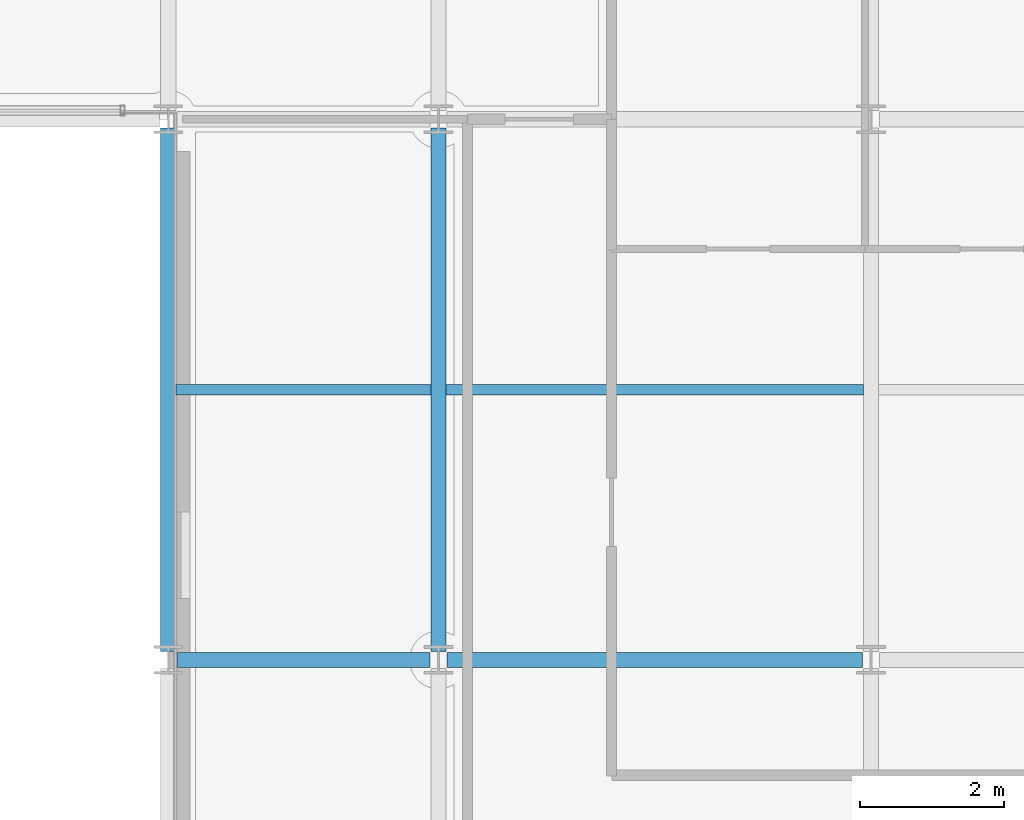
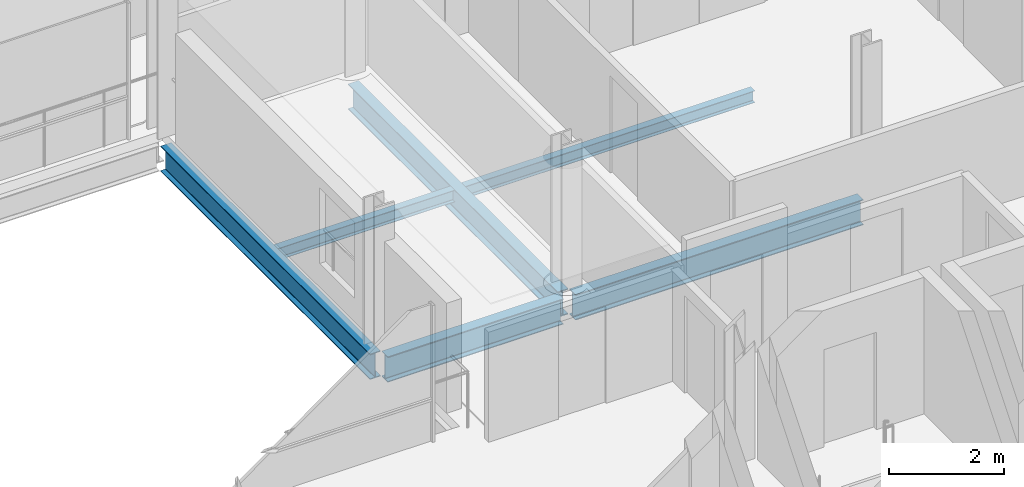
# One storey, part 19 of 35: 6 beams.
"""IFC4 building model written with IfcOpenShell, lengths in metres."""

from ifc_helpers import new_model, si_unit, direction, frame, origin, origin_2d, place, context, subcontext, project, spatial, i_section, extrude, material, material_profile, profile_set, type_object, element, save


model = new_model("IFC4")

# Units and contexts
model_context = context("Model", 3, precision=1e-05, world=origin(), true_north=direction((0.0, 1.0)))
body_context = subcontext(model_context, "Body", "Model", "MODEL_VIEW")
ifc_project = project(units=[si_unit("LENGTHUNIT", "METRE"), si_unit("AREAUNIT", "SQUARE_METRE"), si_unit("VOLUMEUNIT", "CUBIC_METRE"), si_unit("PLANEANGLEUNIT", "RADIAN"), si_unit("MASSUNIT", "GRAM", prefix="KILO")], contexts=[model_context])

# Site, building, storey
site_placement = place(None, origin())
site = spatial("IfcSite", under=ifc_project, at=site_placement, CompositionType="ELEMENT")
building_placement = place(site_placement, origin())
building = spatial("IfcBuilding", under=site, at=building_placement, Name="Brevholm Reach", CompositionType="ELEMENT")
storey_placement = place(building_placement, frame((0.0, 0.0, 183.199951171875)))
storey = spatial("IfcBuildingStorey", under=building, at=storey_placement, Name="L55", CompositionType="ELEMENT", Elevation=183.199951171875)

# Beams
ifc_material_1 = material(Name="Structural Steel S355J2", Category="steel")
ifc_material_profile_1 = material_profile(ifc_material_1, i_section(OverallWidth=0.14599609375, OverallDepth=0.25146484375, WebThickness=0.006103515625, FlangeThickness=0.008544921875, FilletRadius=0.007568359375, at=origin_2d()), Name="UKB 254x146x31")
ifc_profile_set_1 = profile_set([ifc_material_profile_1], Name="Structural Steel S355J2")
beam_type_1 = type_object("IfcBeamType", Name="BM-B254", PredefinedType="BEAM", material=ifc_profile_set_1)
beam_1_placement = place(storey_placement, frame((38.35546875, 19.75, -0.335693359375), z_axis=(1.0, 0.0, 0.0), x_axis=(0.0, 1.0, 0.0)))
element("IfcBeam", 1, at=beam_1_placement, inside=storey, type_object=beam_type_1, Name="L55 Composite Secondary Floor Beam", PredefinedType="BEAM", context=body_context, shape_type="SweptSolid", body=[
    extrude(i_section(OverallWidth=0.14599609375, OverallDepth=0.25146484375, WebThickness=0.006103515625, FlangeThickness=0.008544921875, FilletRadius=0.007568359375, at=origin_2d()), origin(), (0.0, 0.0, 1.0), 3.5390625),
])
beam_2_placement = place(storey_placement, frame((42.10546875, 19.75, -0.335693359375), z_axis=(1.0, 0.0, 0.0), x_axis=(0.0, 1.0, 0.0)))
element("IfcBeam", 2, at=beam_2_placement, inside=storey, type_object=beam_type_1, Name="L55 Composite Secondary Floor Beam", PredefinedType="BEAM", context=body_context, shape_type="SweptSolid", body=[
    extrude(i_section(OverallWidth=0.14599609375, OverallDepth=0.25146484375, WebThickness=0.006103515625, FlangeThickness=0.008544921875, FilletRadius=0.007568359375, at=origin_2d()), origin(), (0.0, 0.0, 1.0), 5.7890625),
])
ifc_material_2 = material(Name="Structural Steel S355J2", Category="steel")
ifc_material_profile_2 = material_profile(ifc_material_2, i_section(OverallWidth=0.210693359375, OverallDepth=0.53955078125, WebThickness=0.01171875, FlangeThickness=0.018798828125, FilletRadius=0.0126953125, at=origin_2d()), Name="UKB 533x210x109")
ifc_profile_set_2 = profile_set([ifc_material_profile_2], Name="Structural Steel S355J2")
beam_type_2 = type_object("IfcBeamType", Name="BM-SP539", PredefinedType="SPANDREL", material=ifc_profile_set_2)
beam_3_placement = place(storey_placement, frame((38.3701171875, 16.0, -0.479736328125), z_axis=(1.0, 0.0, 0.0), x_axis=(0.0, 1.0, 0.0)))
element("IfcBeam", 3, at=beam_3_placement, inside=storey, type_object=beam_type_2, Name="L55 SP-01B Framing Beam", PredefinedType="SPANDREL", context=body_context, shape_type="SweptSolid", body=[
    extrude(i_section(OverallWidth=0.210693359375, OverallDepth=0.53955078125, WebThickness=0.01171875, FlangeThickness=0.018798828125, FilletRadius=0.0126953125, at=origin_2d()), origin(), (0.0, 0.0, 1.0), 3.509765625),
])
beam_4_placement = place(storey_placement, frame((42.1201171875, 16.0, -0.479736328125), z_axis=(1.0, 0.0, 0.0), x_axis=(0.0, 1.0, 0.0)))
element("IfcBeam", 4, at=beam_4_placement, inside=storey, type_object=beam_type_2, Name="L55 SP-01B Framing Beam", PredefinedType="SPANDREL", context=body_context, shape_type="SweptSolid", body=[
    extrude(i_section(OverallWidth=0.210693359375, OverallDepth=0.53955078125, WebThickness=0.01171875, FlangeThickness=0.018798828125, FilletRadius=0.0126953125, at=origin_2d()), origin(), (0.0, 0.0, 1.0), 5.759765625),
])
for number, where, z_axis, x_axis, name in (
    (5, (38.25, 16.1201171875, -0.479736328125), (0.0, 1.0, 0.0), (-1.0, 0.0, 0.0), "L55 SP-01B Framing Beam"),
    (6, (42.0, 16.1201171875, -0.479736328125), (0.0, 1.0, 0.0), (-1.0, 0.0, 0.0), "L55 SP-01B Framing Beam"),
):
    element("IfcBeam", number, at=place(storey_placement, frame(where, z_axis=z_axis, x_axis=x_axis)), inside=storey, type_object=beam_type_2, Name=name, PredefinedType="SPANDREL", context=body_context, shape_type="SweptSolid", body=[
        extrude(i_section(OverallWidth=0.210693359375, OverallDepth=0.53955078125, WebThickness=0.01171875, FlangeThickness=0.018798828125, FilletRadius=0.0126953125, at=origin_2d()), origin(), (0.0, 0.0, 1.0), 7.259765625),
    ])

save(model, "model.ifc")
